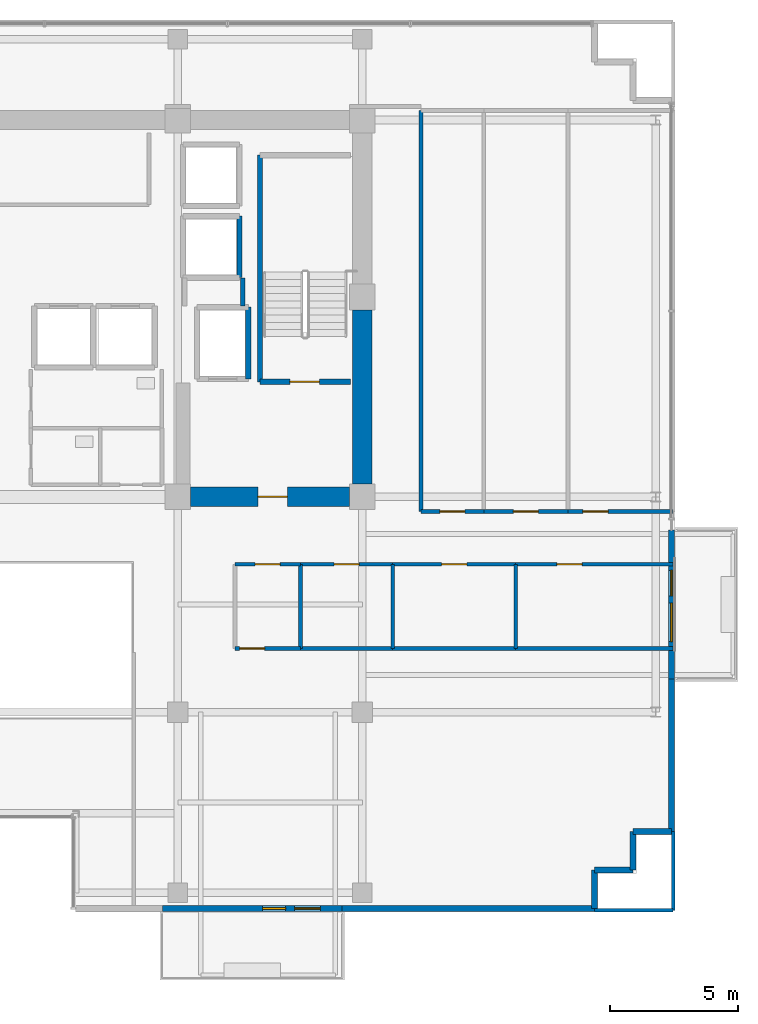
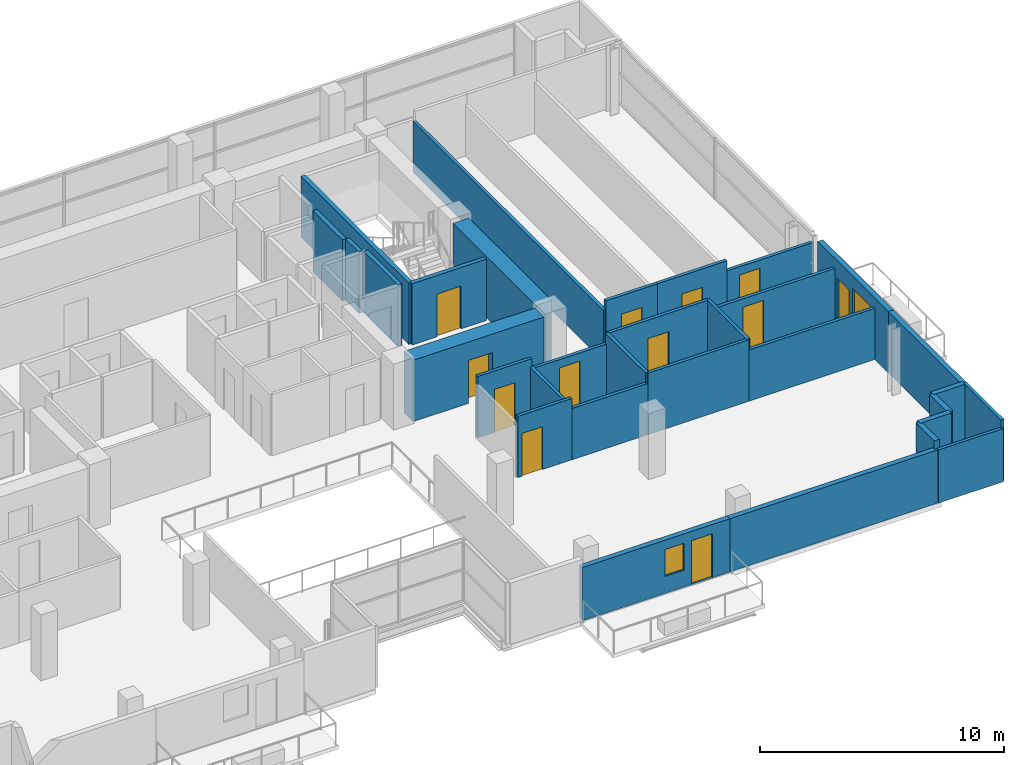
# One storey, part 17 of 21: 32 walls, 12 doors, 2 windows, 14 openings.
"""IFC4 building model written with IfcOpenShell, lengths in metres."""

from ifc_helpers import new_model, si_unit, direction, frame, frame_2d, origin, place, context, subcontext, project, spatial, rectangle, extrude, source, transform, mapped, material, layer, layer_set, type_object, element, fill, save


model = new_model("IFC4")

# Units and contexts
model_context = context("Model", 3, precision=1e-05, world=origin(), true_north=direction((0.0, 1.0)))
body_context = subcontext(model_context, "Body", "Model", "MODEL_VIEW")
ifc_project = project(units=[si_unit("LENGTHUNIT", "METRE"), si_unit("AREAUNIT", "SQUARE_METRE"), si_unit("VOLUMEUNIT", "CUBIC_METRE"), si_unit("PLANEANGLEUNIT", "RADIAN"), si_unit("MASSUNIT", "GRAM", prefix="KILO")], contexts=[model_context])

# Site, building, storey
site_placement = place(None, origin())
site = spatial("IfcSite", under=ifc_project, at=site_placement, CompositionType="ELEMENT")
building_placement = place(site_placement, origin())
building = spatial("IfcBuilding", under=site, at=building_placement, Name="Zarnakvel Exchange Tower", CompositionType="ELEMENT")
storey_placement = place(building_placement, frame((0.0, 0.0, 182.5)))
storey = spatial("IfcBuildingStorey", under=building, at=storey_placement, Name="L51", CompositionType="ELEMENT", Elevation=182.5)

# Wall
ifc_material_1 = material(Name="Concrete C60/75", Category="concrete")
ifc_layer_1 = layer(ifc_material_1, 0.75)
ifc_layer_set_1 = layer_set([ifc_layer_1], Name="Concrete C60/75")
wall_type_1 = type_object("IfcWallType", Name="CW-C3", PredefinedType="SHEAR", material=ifc_layer_set_1)
wall_1_placement = place(storey_placement, frame((14.39990234375, -0.699951171875, 0.0), z_axis=(0.0, 0.0, 1.0), x_axis=(0.0, 1.0, 0.0)))
element("IfcWall", 1, at=wall_1_placement, inside=storey, type_object=wall_type_1, Name="L51 Rear Core Shear Wall E1 (CW-C3)", PredefinedType="SHEAR", context=body_context, shape_type="SweptSolid", body=[
    extrude(rectangle(XDim=6.800048828125, YDim=0.75, at=frame_2d((3.39990234375, 0.0))), origin(), (0.0, 0.0, 1.0), 3.074951171875),
])

# Wall, opening, door
wall_2_placement = place(storey_placement, frame((13.89990234375, -1.199951171875, 0.0), z_axis=(0.0, 0.0, 1.0), x_axis=(-1.0, 0.0, 0.0)))
wall_2 = element("IfcWall", 2, at=wall_2_placement, inside=storey, type_object=wall_type_1, Name="L51 Rear Core Shear Wall SE (CW-C3)", PredefinedType="SHEAR", context=body_context, shape_type="SweptSolid", body=[
    extrude(rectangle(XDim=6.199951171875, YDim=0.75, at=frame_2d((3.10009765625, 0.0))), origin(), (0.0, 0.0, 1.0), 3.074951171875),
])
opening_1_placement = place(wall_2_placement, frame((2.425048828125, 0.0, 0.0)))
opening_1 = element("IfcOpeningElement", 3, at=opening_1_placement, cuts=wall_2, Name="Opening D-L51-04", PredefinedType="OPENING", context=body_context, shape_type="SweptSolid", body=[
    extrude(rectangle(XDim=1.14990234375, YDim=2.14990234375, at=frame_2d((0.574951171875, 1.074951171875))), frame((0.0, 0.385009765625, 0.0), z_axis=(0.0, -1.0, 0.0), x_axis=(1.0, 0.0, 0.0)), (0.0, 0.0, 1.0), 0.77001953125),
])
ifc_material_2 = material(Name="Painted Galvanised Steel S355", Category="steel")
door_type_1 = type_object("IfcDoorType", Name="DT-04", OperationType="NOTDEFINED", PredefinedType="DOOR", material=ifc_material_2)
shared_shape_1 = source(origin(), body_context, "Body", "SweptSolid", [
    extrude(rectangle(XDim=1.14990234375, YDim=2.14990234375, at=frame_2d((0.574951171875, 1.074951171875))), frame((0.0, 0.02490234375, 0.0), z_axis=(0.0, -1.0, 0.0), x_axis=(1.0, 0.0, 0.0)), (0.0, 0.0, 1.0), 0.050048828125),
])
door_1_placement = place(opening_1_placement, origin())
door_1 = element("IfcDoor", 4, at=door_1_placement, inside=storey, type_object=door_type_1, Name="L51 Firefighting Lobby East Door D-L51-04", OperationType="SINGLE_SWING_RIGHT", OverallHeight=2.14990234375, OverallWidth=1.14990234375, PredefinedType="DOOR", context=body_context, shape_type="MappedRepresentation", body=[
    mapped(shared_shape_1, transform((0.0, 0.0, 0.0), x_axis=(1.0, 0.0, 0.0), y_axis=(0.0, 1.0, 0.0), z_axis=(0.0, 0.0, 1.0), scale=1.0)),
])
fill(opening_1, door_1)

# Wall, openings, door, window
ifc_material_3 = material(Name="Precast concrete C40/50", Category="concrete")
ifc_layer_2 = layer(ifc_material_3, 0.239990234375)
ifc_layer_set_2 = layer_set([ifc_layer_2], Name="Precast concrete C40/50")
wall_type_2 = type_object("IfcWallType", Name="EW-02", PredefinedType="SOLIDWALL", material=ifc_layer_set_2)
wall_3_placement = place(storey_placement, frame((13.60009765625, -17.260009765625, 0.0), z_axis=(0.0, 0.0, 1.0), x_axis=(-1.0, 0.0, 0.0)))
wall_3 = element("IfcWall", 5, at=wall_3_placement, inside=storey, type_object=wall_type_2, Name="L51 Exterior Precast Spandrel Wall EW-BAL-L51-SE (EW-02)", PredefinedType="SOLIDWALL", context=body_context, shape_type="SweptSolid", body=[
    extrude(rectangle(XDim=7.0, YDim=0.239990234375, at=frame_2d((3.5, 0.0))), origin(), (0.0, 0.0, 1.0), 2.6650390625),
])
opening_2_placement = place(wall_3_placement, frame((0.840087890625, 0.0, 0.0)))
opening_2 = element("IfcOpeningElement", 6, at=opening_2_placement, cuts=wall_3, Name="Opening BD-L51-02", PredefinedType="OPENING", context=body_context, shape_type="SweptSolid", body=[
    extrude(rectangle(XDim=1.0, YDim=2.199951171875, at=frame_2d((0.5, 1.10009765625))), frame((0.0, 0.1298828125, 0.0), z_axis=(0.0, -1.0, 0.0), x_axis=(1.0, 0.0, 0.0)), (0.0, 0.0, 1.0), 0.260009765625),
])
opening_3_placement = place(wall_3_placement, frame((2.18994140625, 0.0, 0.85009765625)))
opening_3 = element("IfcOpeningElement", 7, at=opening_3_placement, cuts=wall_3, Name="Opening WN-06", PredefinedType="OPENING", context=body_context, shape_type="SweptSolid", body=[
    extrude(rectangle(XDim=0.89990234375, YDim=1.35009765625, at=frame_2d((0.449951171875, 0.675048828125))), frame((0.0, 0.1298828125, 0.0), z_axis=(0.0, -1.0, 0.0), x_axis=(1.0, 0.0, 0.0)), (0.0, 0.0, 1.0), 0.260009765625),
])
ifc_material_4 = material(Name="Architectural Bronze Anodised Aluminium", Category="aluminium")
door_type_2 = type_object("IfcDoorType", Name="DT-09", OperationType="NOTDEFINED", PredefinedType="DOOR", material=ifc_material_4)
shared_shape_2 = source(origin(), body_context, "Body", "SweptSolid", [
    extrude(rectangle(XDim=1.0, YDim=2.199951171875, at=frame_2d((0.5, 1.10009765625))), frame((0.0, 0.02490234375, 0.0), z_axis=(0.0, -1.0, 0.0), x_axis=(1.0, 0.0, 0.0)), (0.0, 0.0, 1.0), 0.050048828125),
])
door_2_placement = place(opening_2_placement, origin())
door_2 = element("IfcDoor", 8, at=door_2_placement, inside=storey, type_object=door_type_2, Name="L51 Planted Loggia Balcony Door BD-L51-02", OperationType="SINGLE_SWING_RIGHT", OverallHeight=2.199951171875, OverallWidth=1.0, PredefinedType="DOOR", context=body_context, shape_type="MappedRepresentation", body=[
    mapped(shared_shape_2, transform((0.0, 0.0, 0.0), x_axis=(1.0, 0.0, 0.0), y_axis=(0.0, 1.0, 0.0), z_axis=(0.0, 0.0, 1.0), scale=1.0)),
])
fill(opening_2, door_2)
ifc_material_5 = material(Name="Double Low-E Laminated Vision Glass", Category="glass")
window_type_1 = type_object("IfcWindowType", Name="WN-06", PartitioningType="SINGLE_PANEL", PredefinedType="WINDOW", material=ifc_material_5)
shared_shape_3 = source(origin(), body_context, "Body", "SweptSolid", [
    extrude(rectangle(XDim=0.89990234375, YDim=1.35009765625, at=frame_2d((0.449951171875, 0.675048828125))), frame((0.0, 0.030029296875, 0.0), z_axis=(0.0, -1.0, 0.0), x_axis=(1.0, 0.0, 0.0)), (0.0, 0.0, 1.0), 0.06005859375),
])
window_1_placement = place(opening_3_placement, origin())
window_1 = element("IfcWindow", 9, at=window_1_placement, inside=storey, type_object=window_type_1, Name="L51 Loggia Daylight Window (WN-06)", OverallHeight=1.35009765625, OverallWidth=0.89990234375, PartitioningType="SINGLE_PANEL", PredefinedType="WINDOW", context=body_context, shape_type="MappedRepresentation", body=[
    mapped(shared_shape_3, transform((0.0, 0.0, 0.0), x_axis=(1.0, 0.0, 0.0), y_axis=(0.0, 1.0, 0.0), z_axis=(0.0, 0.0, 1.0), scale=1.0)),
])
fill(opening_3, window_1)

wall_4_placement = place(storey_placement, frame((26.4599609375, -2.5, 0.0), z_axis=(0.0, 0.0, 1.0), x_axis=(0.0, -1.0, 0.0)))
wall_4 = element("IfcWall", 10, at=wall_4_placement, inside=storey, type_object=wall_type_2, Name="L51 Exterior Precast Spandrel Wall EW-BAL-L51-E (EW-02)", PredefinedType="SOLIDWALL", context=body_context, shape_type="SweptSolid", body=[
    extrude(rectangle(XDim=5.800048828125, YDim=0.239990234375, at=frame_2d((2.89990234375, 0.0))), origin(), (0.0, 0.0, 1.0), 3.074951171875),
])
opening_4_placement = place(wall_4_placement, frame((1.56591796875, 0.0, 0.0)))
opening_4 = element("IfcOpeningElement", 11, at=opening_4_placement, cuts=wall_4, Name="Opening BD-L51-03", PredefinedType="OPENING", context=body_context, shape_type="SweptSolid", body=[
    extrude(rectangle(XDim=1.0, YDim=2.199951171875, at=frame_2d((0.5, 1.10009765625))), frame((0.0, 0.1298828125, 0.0), z_axis=(0.0, -1.0, 0.0), x_axis=(1.0, 0.0, 0.0)), (0.0, 0.0, 1.0), 0.260009765625),
])
opening_5_placement = place(wall_4_placement, frame((2.85009765625, 0.0, 0.85009765625)))
opening_5 = element("IfcOpeningElement", 12, at=opening_5_placement, cuts=wall_4, Name="Opening WN-03", PredefinedType="OPENING", context=body_context, shape_type="SweptSolid", body=[
    extrude(rectangle(XDim=1.5, YDim=1.60009765625, at=frame_2d((0.75, 0.800048828125))), frame((0.0, 0.1298828125, 0.0), z_axis=(0.0, -1.0, 0.0), x_axis=(1.0, 0.0, 0.0)), (0.0, 0.0, 1.0), 0.260009765625),
])
door_3_placement = place(opening_4_placement, origin())
door_3 = element("IfcDoor", 13, at=door_3_placement, inside=storey, type_object=door_type_2, Name="L51 Planted Loggia Balcony Door BD-L51-03", OperationType="SINGLE_SWING_LEFT", OverallHeight=2.199951171875, OverallWidth=1.0, PredefinedType="DOOR", context=body_context, shape_type="MappedRepresentation", body=[
    mapped(shared_shape_2, transform((0.0, 0.0, 0.0), x_axis=(1.0, 0.0, 0.0), y_axis=(0.0, 1.0, 0.0), z_axis=(0.0, 0.0, 1.0), scale=1.0)),
])
fill(opening_4, door_3)
window_type_2 = type_object("IfcWindowType", Name="WN-03", PartitioningType="SINGLE_PANEL", PredefinedType="WINDOW", material=ifc_material_5)
shared_shape_4 = source(origin(), body_context, "Body", "SweptSolid", [
    extrude(rectangle(XDim=1.5, YDim=1.60009765625, at=frame_2d((0.75, 0.800048828125))), frame((0.0, 0.030029296875, 0.0), z_axis=(0.0, -1.0, 0.0), x_axis=(1.0, 0.0, 0.0)), (0.0, 0.0, 1.0), 0.06005859375),
])
window_2_placement = place(opening_5_placement, origin())
window_2 = element("IfcWindow", 14, at=window_2_placement, inside=storey, type_object=window_type_2, Name="L51 Loggia Daylight Window (WN-03)", OverallHeight=1.60009765625, OverallWidth=1.5, PartitioningType="SINGLE_PANEL", PredefinedType="WINDOW", context=body_context, shape_type="MappedRepresentation", body=[
    mapped(shared_shape_4, transform((0.0, 0.0, 0.0), x_axis=(1.0, 0.0, 0.0), y_axis=(0.0, 1.0, 0.0), z_axis=(0.0, 0.0, 1.0), scale=1.0)),
])
fill(opening_5, window_2)

# Walls
wall_5_placement = place(storey_placement, frame((26.4599609375, -14.260009765625, 0.0), z_axis=(0.0, 0.0, 1.0), x_axis=(0.0, 1.0, 0.0)))
element("IfcWall", 15, at=wall_5_placement, inside=storey, type_object=wall_type_2, Name="L51 Exterior Precast Spandrel Wall EWC-L51-10 (EW-02)", PredefinedType="SOLIDWALL", context=body_context, shape_type="SweptSolid", body=[
    extrude(rectangle(XDim=5.9599609375, YDim=0.239990234375, at=frame_2d((2.97998046875, 0.0))), origin(), (0.0, 0.0, 1.0), 3.074951171875),
])
for number, where, z_axis, x_axis, name in (
    (16, (24.9599609375, -14.260009765625, 0.0), (0.0, 0.0, 1.0), (1.0, 0.0, 0.0), "L51 Exterior Precast Spandrel Wall EWC-L51-11 (EW-02)"),
    (17, (24.9599609375, -15.760009765625, 0.0), (0.0, 0.0, 1.0), (0.0, 1.0, 0.0), "L51 Exterior Precast Spandrel Wall EWC-L51-12 (EW-02)"),
    (18, (23.4599609375, -15.760009765625, 0.0), (0.0, 0.0, 1.0), (1.0, 0.0, 0.0), "L51 Exterior Precast Spandrel Wall EWC-L51-13 (EW-02)"),
    (19, (23.4599609375, -17.260009765625, 0.0), (0.0, 0.0, 1.0), (0.0, 1.0, 0.0), "L51 Exterior Precast Spandrel Wall EWC-L51-14 (EW-02)"),
):
    element("IfcWall", number, at=place(storey_placement, frame(where, z_axis=z_axis, x_axis=x_axis)), inside=storey, type_object=wall_type_2, Name=name, PredefinedType="SOLIDWALL", context=body_context, shape_type="SweptSolid", body=[
        extrude(rectangle(XDim=1.5, YDim=0.239990234375, at=frame_2d((0.75, 0.0))), origin(), (0.0, 0.0, 1.0), 3.074951171875),
    ])
wall_6_placement = place(storey_placement, frame((13.60009765625, -17.260009765625, 0.0), z_axis=(0.0, 0.0, 1.0), x_axis=(1.0, 0.0, 0.0)))
element("IfcWall", 20, at=wall_6_placement, inside=storey, type_object=wall_type_2, Name="L51 Exterior Precast Spandrel Wall EWC-L51-15 (EW-02)", PredefinedType="SOLIDWALL", context=body_context, shape_type="SweptSolid", body=[
    extrude(rectangle(XDim=9.85986328125, YDim=0.239990234375, at=frame_2d((4.929931640625, 0.0))), origin(), (0.0, 0.0, 1.0), 2.6650390625),
])

# Wall, opening, door
ifc_material_6 = material(Name="Fire-Rated Gypsum Stud Partition", Category="gypsum")
ifc_layer_3 = layer(ifc_material_6, 0.14990234375)
ifc_layer_set_3 = layer_set([ifc_layer_3], Name="Fire-Rated Gypsum Stud Partition")
wall_type_3 = type_object("IfcWallType", Name="PT-01", PredefinedType="PARTITIONING", material=ifc_layer_set_3)
wall_7_placement = place(storey_placement, frame((11.984130859375, -7.1201171875, 0.0), z_axis=(0.0, 0.0, 1.0), x_axis=(-1.0, 0.0, 0.0)))
wall_7 = element("IfcWall", 21, at=wall_7_placement, inside=storey, type_object=wall_type_3, Name="L51 Partition Wall PWALL-L51-038 (PT-01)", PredefinedType="PARTITIONING", context=body_context, shape_type="SweptSolid", body=[
    extrude(rectangle(XDim=2.55419921875, YDim=0.14990234375, at=frame_2d((1.277099609375, 0.0))), origin(), (0.0, 0.0, 1.0), 3.074951171875),
])
opening_6_placement = place(wall_7_placement, frame((1.394287109375, 0.0, 0.0)))
opening_6 = element("IfcOpeningElement", 22, at=opening_6_placement, cuts=wall_7, Name="Opening D-L51-18", PredefinedType="OPENING", context=body_context, shape_type="SweptSolid", body=[
    extrude(rectangle(XDim=0.97998046875, YDim=2.14990234375, at=frame_2d((0.489990234375, 1.074951171875))), frame((0.0, 0.0849609375, 0.0), z_axis=(0.0, -1.0, 0.0), x_axis=(1.0, 0.0, 0.0)), (0.0, 0.0, 1.0), 0.169921875),
])
ifc_material_7 = material(Name="Timber Acoustic Veneer", Category="wood")
door_type_3 = type_object("IfcDoorType", Name="DT-05", OperationType="NOTDEFINED", PredefinedType="DOOR", material=ifc_material_7)
shared_shape_5 = source(origin(), body_context, "Body", "SweptSolid", [
    extrude(rectangle(XDim=0.97998046875, YDim=2.14990234375, at=frame_2d((0.489990234375, 1.074951171875))), frame((0.0, 0.02490234375, 0.0), z_axis=(0.0, -1.0, 0.0), x_axis=(1.0, 0.0, 0.0)), (0.0, 0.0, 1.0), 0.050048828125),
])
door_4_placement = place(opening_6_placement, origin())
door_4 = element("IfcDoor", 23, at=door_4_placement, inside=storey, type_object=door_type_3, Name="L51 Asset Management Office Door D-L51-18", OperationType="SINGLE_SWING_RIGHT", OverallHeight=2.14990234375, OverallWidth=0.97998046875, PredefinedType="DOOR", context=body_context, shape_type="MappedRepresentation", body=[
    mapped(shared_shape_5, transform((0.0, 0.0, 0.0), x_axis=(1.0, 0.0, 0.0), y_axis=(0.0, 1.0, 0.0), z_axis=(0.0, 0.0, 1.0), scale=1.0)),
])
fill(opening_6, door_4)

wall_8_placement = place(storey_placement, frame((9.429931640625, -3.830078125, 0.0), z_axis=(0.0, 0.0, 1.0), x_axis=(1.0, 0.0, 0.0)))
wall_8 = element("IfcWall", 24, at=wall_8_placement, inside=storey, type_object=wall_type_3, Name="L51 Partition Wall PWALL-L51-039 (PT-01)", PredefinedType="PARTITIONING", context=body_context, shape_type="SweptSolid", body=[
    extrude(rectangle(XDim=2.55419921875, YDim=0.14990234375, at=frame_2d((1.277099609375, 0.0))), origin(), (0.0, 0.0, 1.0), 3.074951171875),
])
opening_7_placement = place(wall_8_placement, frame((0.787109375, 0.0, 0.0)))
opening_7 = element("IfcOpeningElement", 25, at=opening_7_placement, cuts=wall_8, Name="Opening D-L51-14", PredefinedType="OPENING", context=body_context, shape_type="SweptSolid", body=[
    extrude(rectangle(XDim=0.97998046875, YDim=2.14990234375, at=frame_2d((0.489990234375, 1.074951171875))), frame((0.0, 0.0849609375, 0.0), z_axis=(0.0, -1.0, 0.0), x_axis=(1.0, 0.0, 0.0)), (0.0, 0.0, 1.0), 0.169921875),
])
door_5_placement = place(opening_7_placement, origin())
door_5 = element("IfcDoor", 26, at=door_5_placement, inside=storey, type_object=door_type_3, Name="L51 Meeting Room Door D-L51-14", OperationType="SINGLE_SWING_RIGHT", OverallHeight=2.14990234375, OverallWidth=0.97998046875, PredefinedType="DOOR", context=body_context, shape_type="MappedRepresentation", body=[
    mapped(shared_shape_5, transform((0.0, 0.0, 0.0), x_axis=(1.0, 0.0, 0.0), y_axis=(0.0, 1.0, 0.0), z_axis=(0.0, 0.0, 1.0), scale=1.0)),
])
fill(opening_7, door_5)

# Walls
wall_9_placement = place(storey_placement, frame((11.984130859375, -3.830078125, 0.0), z_axis=(0.0, 0.0, 1.0), x_axis=(0.0, -1.0, 0.0)))
element("IfcWall", 27, at=wall_9_placement, inside=storey, type_object=wall_type_3, Name="L51 Partition Wall PWALL-L51-041 (PT-01)", PredefinedType="PARTITIONING", context=body_context, shape_type="SweptSolid", body=[
    extrude(rectangle(XDim=3.2900390625, YDim=0.14990234375, at=frame_2d((1.64501953125, 0.0))), origin(), (0.0, 0.0, 1.0), 2.6650390625),
])
wall_10_placement = place(storey_placement, frame((15.585693359375, -7.1201171875, 0.0), z_axis=(0.0, 0.0, 1.0), x_axis=(-1.0, 0.0, 0.0)))
element("IfcWall", 28, at=wall_10_placement, inside=storey, type_object=wall_type_3, Name="L51 Partition Wall PWALL-L51-042 (PT-01)", PredefinedType="PARTITIONING", context=body_context, shape_type="SweptSolid", body=[
    extrude(rectangle(XDim=3.6015625, YDim=0.14990234375, at=frame_2d((1.80078125, 0.0))), origin(), (0.0, 0.0, 1.0), 2.56494140625),
])

# Wall, opening, door
wall_11_placement = place(storey_placement, frame((11.984130859375, -3.830078125, 0.0), z_axis=(0.0, 0.0, 1.0), x_axis=(1.0, 0.0, 0.0)))
wall_11 = element("IfcWall", 29, at=wall_11_placement, inside=storey, type_object=wall_type_3, Name="L51 Partition Wall PWALL-L51-043 (PT-01)", PredefinedType="PARTITIONING", context=body_context, shape_type="SweptSolid", body=[
    extrude(rectangle(XDim=3.6015625, YDim=0.14990234375, at=frame_2d((1.80078125, 0.0))), origin(), (0.0, 0.0, 1.0), 2.56494140625),
])
opening_8_placement = place(wall_11_placement, frame((1.310791015625, 0.0, 0.0)))
opening_8 = element("IfcOpeningElement", 30, at=opening_8_placement, cuts=wall_11, Name="Opening D-L51-15", PredefinedType="OPENING", context=body_context, shape_type="SweptSolid", body=[
    extrude(rectangle(XDim=0.97998046875, YDim=2.14990234375, at=frame_2d((0.489990234375, 1.074951171875))), frame((0.0, 0.0849609375, 0.0), z_axis=(0.0, -1.0, 0.0), x_axis=(1.0, 0.0, 0.0)), (0.0, 0.0, 1.0), 0.169921875),
])
door_6_placement = place(opening_8_placement, origin())
door_6 = element("IfcDoor", 31, at=door_6_placement, inside=storey, type_object=door_type_3, Name="L51 Executive Office Door D-L51-15", OperationType="SINGLE_SWING_LEFT", OverallHeight=2.14990234375, OverallWidth=0.97998046875, PredefinedType="DOOR", context=body_context, shape_type="MappedRepresentation", body=[
    mapped(shared_shape_5, transform((0.0, 0.0, 0.0), x_axis=(1.0, 0.0, 0.0), y_axis=(0.0, 1.0, 0.0), z_axis=(0.0, 0.0, 1.0), scale=1.0)),
])
fill(opening_8, door_6)

# Walls
wall_12_placement = place(storey_placement, frame((15.585693359375, -3.830078125, 0.0), z_axis=(0.0, 0.0, 1.0), x_axis=(0.0, -1.0, 0.0)))
element("IfcWall", 32, at=wall_12_placement, inside=storey, type_object=wall_type_3, Name="L51 Partition Wall PWALL-L51-044 (PT-01)", PredefinedType="PARTITIONING", context=body_context, shape_type="SweptSolid", body=[
    extrude(rectangle(XDim=3.2900390625, YDim=0.14990234375, at=frame_2d((1.64501953125, 0.0))), origin(), (0.0, 0.0, 1.0), 3.074951171875),
])
wall_13_placement = place(storey_placement, frame((20.384521484375, -7.1201171875, 0.0), z_axis=(0.0, 0.0, 1.0), x_axis=(-1.0, 0.0, 0.0)))
element("IfcWall", 33, at=wall_13_placement, inside=storey, type_object=wall_type_3, Name="L51 Partition Wall PWALL-L51-045 (PT-01)", PredefinedType="PARTITIONING", context=body_context, shape_type="SweptSolid", body=[
    extrude(rectangle(XDim=4.798828125, YDim=0.14990234375, at=frame_2d((2.3994140625, 0.0))), origin(), (0.0, 0.0, 1.0), 3.074951171875),
])

# Wall, opening, door
wall_14_placement = place(storey_placement, frame((15.585693359375, -3.830078125, 0.0), z_axis=(0.0, 0.0, 1.0), x_axis=(1.0, 0.0, 0.0)))
wall_14 = element("IfcWall", 34, at=wall_14_placement, inside=storey, type_object=wall_type_3, Name="L51 Partition Wall PWALL-L51-046 (PT-01)", PredefinedType="PARTITIONING", context=body_context, shape_type="SweptSolid", body=[
    extrude(rectangle(XDim=4.798828125, YDim=0.14990234375, at=frame_2d((2.3994140625, 0.0))), origin(), (0.0, 0.0, 1.0), 3.074951171875),
])
opening_9_placement = place(wall_14_placement, frame((1.9091796875, 0.0, 0.0)))
opening_9 = element("IfcOpeningElement", 35, at=opening_9_placement, cuts=wall_14, Name="Opening D-L51-16", PredefinedType="OPENING", context=body_context, shape_type="SweptSolid", body=[
    extrude(rectangle(XDim=0.97998046875, YDim=2.14990234375, at=frame_2d((0.489990234375, 1.074951171875))), frame((0.0, 0.0849609375, 0.0), z_axis=(0.0, -1.0, 0.0), x_axis=(1.0, 0.0, 0.0)), (0.0, 0.0, 1.0), 0.169921875),
])
door_7_placement = place(opening_9_placement, origin())
door_7 = element("IfcDoor", 36, at=door_7_placement, inside=storey, type_object=door_type_3, Name="L51 Staff Pantry Door D-L51-16", OperationType="SINGLE_SWING_RIGHT", OverallHeight=2.14990234375, OverallWidth=0.97998046875, PredefinedType="DOOR", context=body_context, shape_type="MappedRepresentation", body=[
    mapped(shared_shape_5, transform((0.0, 0.0, 0.0), x_axis=(1.0, 0.0, 0.0), y_axis=(0.0, 1.0, 0.0), z_axis=(0.0, 0.0, 1.0), scale=1.0)),
])
fill(opening_9, door_7)

# Walls
wall_15_placement = place(storey_placement, frame((20.384521484375, -3.830078125, 0.0), z_axis=(0.0, 0.0, 1.0), x_axis=(0.0, -1.0, 0.0)))
element("IfcWall", 37, at=wall_15_placement, inside=storey, type_object=wall_type_3, Name="L51 Partition Wall PWALL-L51-047 (PT-01)", PredefinedType="PARTITIONING", context=body_context, shape_type="SweptSolid", body=[
    extrude(rectangle(XDim=3.2900390625, YDim=0.14990234375, at=frame_2d((1.64501953125, 0.0))), origin(), (0.0, 0.0, 1.0), 3.074951171875),
])
wall_16_placement = place(storey_placement, frame((26.530029296875, -7.1201171875, 0.0), z_axis=(0.0, 0.0, 1.0), x_axis=(-1.0, 0.0, 0.0)))
element("IfcWall", 38, at=wall_16_placement, inside=storey, type_object=wall_type_3, Name="L51 Partition Wall PWALL-L51-048 (PT-01)", PredefinedType="PARTITIONING", context=body_context, shape_type="SweptSolid", body=[
    extrude(rectangle(XDim=6.1455078125, YDim=0.14990234375, at=frame_2d((3.07275390625, 0.0))), origin(), (0.0, 0.0, 1.0), 2.56494140625),
])

# Wall, opening, door
wall_17_placement = place(storey_placement, frame((20.384521484375, -3.830078125, 0.0), z_axis=(0.0, 0.0, 1.0), x_axis=(1.0, 0.0, 0.0)))
wall_17 = element("IfcWall", 39, at=wall_17_placement, inside=storey, type_object=wall_type_3, Name="L51 Partition Wall PWALL-L51-049 (PT-01)", PredefinedType="PARTITIONING", context=body_context, shape_type="SweptSolid", body=[
    extrude(rectangle(XDim=6.1455078125, YDim=0.14990234375, at=frame_2d((3.07275390625, 0.0))), origin(), (0.0, 0.0, 1.0), 2.56494140625),
])
opening_10_placement = place(wall_17_placement, frame((1.607421875, 0.0, 0.0)))
opening_10 = element("IfcOpeningElement", 40, at=opening_10_placement, cuts=wall_17, Name="Opening D-L51-17", PredefinedType="OPENING", context=body_context, shape_type="SweptSolid", body=[
    extrude(rectangle(XDim=0.97998046875, YDim=2.14990234375, at=frame_2d((0.489990234375, 1.074951171875))), frame((0.0, 0.0849609375, 0.0), z_axis=(0.0, -1.0, 0.0), x_axis=(1.0, 0.0, 0.0)), (0.0, 0.0, 1.0), 0.169921875),
])
door_8_placement = place(opening_10_placement, origin())
door_8 = element("IfcDoor", 41, at=door_8_placement, inside=storey, type_object=door_type_3, Name="L51 Risk Analytics Suite Door D-L51-17", OperationType="SINGLE_SWING_LEFT", OverallHeight=2.14990234375, OverallWidth=0.97998046875, PredefinedType="DOOR", context=body_context, shape_type="MappedRepresentation", body=[
    mapped(shared_shape_5, transform((0.0, 0.0, 0.0), x_axis=(1.0, 0.0, 0.0), y_axis=(0.0, 1.0, 0.0), z_axis=(0.0, 0.0, 1.0), scale=1.0)),
])
fill(opening_10, door_8)

# Walls
wall_18_placement = place(storey_placement, frame((26.530029296875, -17.330078125, 0.0), z_axis=(0.0, 0.0, 1.0), x_axis=(-1.0, 0.0, 0.0)))
element("IfcWall", 42, at=wall_18_placement, inside=storey, type_object=wall_type_3, Name="L51 Partition Wall PWALL-L51-051 (PT-01)", PredefinedType="PARTITIONING", context=body_context, shape_type="SweptSolid", body=[
    extrude(rectangle(XDim=3.070068359375, YDim=0.14990234375, at=frame_2d((1.53515625, 0.0))), origin(), (0.0, 0.0, 1.0), 2.6650390625),
])
wall_19_placement = place(storey_placement, frame((26.530029296875, -14.260009765625, 0.0), z_axis=(0.0, 0.0, 1.0), x_axis=(0.0, -1.0, 0.0)))
element("IfcWall", 43, at=wall_19_placement, inside=storey, type_object=wall_type_3, Name="L51 Partition Wall PWALL-L51-053 (PT-01)", PredefinedType="PARTITIONING", context=body_context, shape_type="SweptSolid", body=[
    extrude(rectangle(XDim=3.070068359375, YDim=0.14990234375, at=frame_2d((1.53515625, 0.0))), origin(), (0.0, 0.0, 1.0), 3.074951171875),
])

# Wall, opening, door
wall_20_placement = place(storey_placement, frame((19.137939453125, -1.77001953125, 0.0), z_axis=(0.0, 0.0, 1.0), x_axis=(-1.0, 0.0, 0.0)))
wall_20 = element("IfcWall", 44, at=wall_20_placement, inside=storey, type_object=wall_type_3, Name="L51 Partition Wall PWALL-L51-058 (PT-01)", PredefinedType="PARTITIONING", context=body_context, shape_type="SweptSolid", body=[
    extrude(rectangle(XDim=2.447998046875, YDim=0.14990234375, at=frame_2d((1.22412109375, 0.0))), origin(), (0.0, 0.0, 1.0), 3.074951171875),
])
opening_11_placement = place(wall_20_placement, frame((0.73388671875, 0.0, 0.0)))
opening_11 = element("IfcOpeningElement", 45, at=opening_11_placement, cuts=wall_20, Name="Opening D-L51-20", PredefinedType="OPENING", context=body_context, shape_type="SweptSolid", body=[
    extrude(rectangle(XDim=0.97998046875, YDim=2.14990234375, at=frame_2d((0.489990234375, 1.074951171875))), frame((0.0, 0.0849609375, 0.0), z_axis=(0.0, -1.0, 0.0), x_axis=(1.0, 0.0, 0.0)), (0.0, 0.0, 1.0), 0.169921875),
])
door_9_placement = place(opening_11_placement, origin())
door_9 = element("IfcDoor", 46, at=door_9_placement, inside=storey, type_object=door_type_3, Name="L51 Risk Analytics Suite Door D-L51-20", OperationType="SINGLE_SWING_RIGHT", OverallHeight=2.14990234375, OverallWidth=0.97998046875, PredefinedType="DOOR", context=body_context, shape_type="MappedRepresentation", body=[
    mapped(shared_shape_5, transform((0.0, 0.0, 0.0), x_axis=(1.0, 0.0, 0.0), y_axis=(0.0, 1.0, 0.0), z_axis=(0.0, 0.0, 1.0), scale=1.0)),
])
fill(opening_11, door_9)

# Wall
wall_21_placement = place(storey_placement, frame((16.68994140625, -1.77001953125, 0.0), z_axis=(0.0, 0.0, 1.0), x_axis=(0.0, 1.0, 0.0)))
element("IfcWall", 47, at=wall_21_placement, inside=storey, type_object=wall_type_3, Name="L51 Partition Wall PWALL-L51-060 (PT-01)", PredefinedType="PARTITIONING", context=body_context, shape_type="SweptSolid", body=[
    extrude(rectangle(XDim=15.64990234375, YDim=0.14990234375, at=frame_2d((7.824951171875, 0.0))), origin(), (0.0, 0.0, 1.0), 2.56494140625),
])

# Wall, opening, door
wall_22_placement = place(storey_placement, frame((22.41796875, -1.77001953125, 0.0), z_axis=(0.0, 0.0, 1.0), x_axis=(-1.0, 0.0, 0.0)))
wall_22 = element("IfcWall", 48, at=wall_22_placement, inside=storey, type_object=wall_type_3, Name="L51 Partition Wall PWALL-L51-062 (PT-01)", PredefinedType="PARTITIONING", context=body_context, shape_type="SweptSolid", body=[
    extrude(rectangle(XDim=3.280029296875, YDim=0.14990234375, at=frame_2d((1.64013671875, 0.0))), origin(), (0.0, 0.0, 1.0), 3.074951171875),
])
opening_12_placement = place(wall_22_placement, frame((1.14990234375, 0.0, 0.0)))
opening_12 = element("IfcOpeningElement", 49, at=opening_12_placement, cuts=wall_22, Name="Opening D-L51-21", PredefinedType="OPENING", context=body_context, shape_type="SweptSolid", body=[
    extrude(rectangle(XDim=0.97998046875, YDim=2.14990234375, at=frame_2d((0.489990234375, 1.074951171875))), frame((0.0, 0.0849609375, 0.0), z_axis=(0.0, -1.0, 0.0), x_axis=(1.0, 0.0, 0.0)), (0.0, 0.0, 1.0), 0.169921875),
])
door_10_placement = place(opening_12_placement, origin())
door_10 = element("IfcDoor", 50, at=door_10_placement, inside=storey, type_object=door_type_3, Name="L51 Members Lounge Door D-L51-21", OperationType="SINGLE_SWING_LEFT", OverallHeight=2.14990234375, OverallWidth=0.97998046875, PredefinedType="DOOR", context=body_context, shape_type="MappedRepresentation", body=[
    mapped(shared_shape_5, transform((0.0, 0.0, 0.0), x_axis=(1.0, 0.0, 0.0), y_axis=(0.0, 1.0, 0.0), z_axis=(0.0, 0.0, 1.0), scale=1.0)),
])
fill(opening_12, door_10)

wall_23_placement = place(storey_placement, frame((26.530029296875, -1.77001953125, 0.0), z_axis=(0.0, 0.0, 1.0), x_axis=(-1.0, 0.0, 0.0)))
wall_23 = element("IfcWall", 51, at=wall_23_placement, inside=storey, type_object=wall_type_3, Name="L51 Partition Wall PWALL-L51-065 (PT-01)", PredefinedType="PARTITIONING", context=body_context, shape_type="SweptSolid", body=[
    extrude(rectangle(XDim=4.112060546875, YDim=0.14990234375, at=frame_2d((2.05615234375, 0.0))), origin(), (0.0, 0.0, 1.0), 2.56494140625),
])
opening_13_placement = place(wall_23_placement, frame((2.541015625, 0.0, 0.0)))
opening_13 = element("IfcOpeningElement", 52, at=opening_13_placement, cuts=wall_23, Name="Opening D-L51-22", PredefinedType="OPENING", context=body_context, shape_type="SweptSolid", body=[
    extrude(rectangle(XDim=0.97998046875, YDim=2.14990234375, at=frame_2d((0.489990234375, 1.074951171875))), frame((0.0, 0.0849609375, 0.0), z_axis=(0.0, -1.0, 0.0), x_axis=(1.0, 0.0, 0.0)), (0.0, 0.0, 1.0), 0.169921875),
])
door_11_placement = place(opening_13_placement, origin())
door_11 = element("IfcDoor", 53, at=door_11_placement, inside=storey, type_object=door_type_3, Name="L51 Equities Trading Floor Door D-L51-22", OperationType="SINGLE_SWING_RIGHT", OverallHeight=2.14990234375, OverallWidth=0.97998046875, PredefinedType="DOOR", context=body_context, shape_type="MappedRepresentation", body=[
    mapped(shared_shape_5, transform((0.0, 0.0, 0.0), x_axis=(1.0, 0.0, 0.0), y_axis=(0.0, 1.0, 0.0), z_axis=(0.0, 0.0, 1.0), scale=1.0)),
])
fill(opening_13, door_11)

# Walls
ifc_layer_4 = layer(ifc_material_6, 0.179931640625)
ifc_layer_set_4 = layer_set([ifc_layer_4], Name="Fire-Rated Gypsum Stud Partition")
wall_type_4 = type_object("IfcWallType", Name="PT-02", PredefinedType="PARTITIONING", material=ifc_layer_set_4)
wall_24_placement = place(storey_placement, frame((9.72998046875, 7.330078125, 0.0), z_axis=(0.0, 0.0, 1.0), x_axis=(0.0, -1.0, 0.0)))
element("IfcWall", 54, at=wall_24_placement, inside=storey, type_object=wall_type_4, Name="L51 Partition Wall PWALL-L51-010 (PT-02)", PredefinedType="PARTITIONING", context=body_context, shape_type="SweptSolid", body=[
    extrude(rectangle(XDim=1.090087890625, YDim=0.179931640625, at=frame_2d((0.544921875, 0.0))), origin(), (0.0, 0.0, 1.0), 3.074951171875),
])
ifc_material_8 = material(Name="Concrete C40/50", Category="concrete")
ifc_layer_5 = layer(ifc_material_8, 0.199951171875)
ifc_layer_set_5 = layer_set([ifc_layer_5], Name="Concrete C40/50")
wall_type_5 = type_object("IfcWallType", Name="SW-01", PredefinedType="SOLIDWALL", material=ifc_layer_set_5)
wall_25_placement = place(storey_placement, frame((9.949951171875, 6.199951171875, 0.0), z_axis=(0.0, 0.0, 1.0), x_axis=(0.0, -1.0, 0.0)))
element("IfcWall", 55, at=wall_25_placement, inside=storey, type_object=wall_type_5, Name="L51 FL-02 Hoistway Wall East", PredefinedType="SOLIDWALL", context=body_context, shape_type="SweptSolid", body=[
    extrude(rectangle(XDim=2.800048828125, YDim=0.199951171875, at=frame_2d((1.39990234375, 0.0))), origin(), (0.0, 0.0, 1.0), 3.074951171875),
])
wall_26_placement = place(storey_placement, frame((9.60009765625, 9.75, 0.0), z_axis=(0.0, 0.0, 1.0), x_axis=(0.0, -1.0, 0.0)))
element("IfcWall", 56, at=wall_26_placement, inside=storey, type_object=wall_type_5, Name="L51 PL-11 Hoistway Wall East", PredefinedType="SOLIDWALL", context=body_context, shape_type="SweptSolid", body=[
    extrude(rectangle(XDim=2.39990234375, YDim=0.199951171875, at=frame_2d((1.199951171875, 0.0))), origin(), (0.0, 0.0, 1.0), 3.074951171875),
])

# Wall, opening, door
ifc_layer_6 = layer(ifc_material_8, 0.199951171875)
ifc_layer_set_6 = layer_set([ifc_layer_6], Name="Concrete C40/50")
wall_type_6 = type_object("IfcWallType", Name="SW-02", PredefinedType="SOLIDWALL", material=ifc_layer_set_6)
wall_27_placement = place(storey_placement, frame((13.929931640625, 3.2900390625, 0.0), z_axis=(0.0, 0.0, 1.0), x_axis=(-1.0, 0.0, 0.0)))
wall_27 = element("IfcWall", 57, at=wall_27_placement, inside=storey, type_object=wall_type_6, Name="L51 Stairwell Core Wall PWALL-L51-004 (SW-02)", PredefinedType="SOLIDWALL", context=body_context, shape_type="SweptSolid", body=[
    extrude(rectangle(XDim=3.52001953125, YDim=0.199951171875, at=frame_2d((1.760009765625, 0.0))), origin(), (0.0, 0.0, 1.0), 3.074951171875),
])
opening_14_placement = place(wall_27_placement, frame((1.205078125, 0.0, 0.0)))
opening_14 = element("IfcOpeningElement", 58, at=opening_14_placement, cuts=wall_27, Name="Opening D-L51-02", PredefinedType="OPENING", context=body_context, shape_type="SweptSolid", body=[
    extrude(rectangle(XDim=1.14990234375, YDim=2.14990234375, at=frame_2d((0.574951171875, 1.074951171875))), frame((0.0, 0.10986328125, 0.0), z_axis=(0.0, -1.0, 0.0), x_axis=(1.0, 0.0, 0.0)), (0.0, 0.0, 1.0), 0.219970703125),
])
door_12_placement = place(opening_14_placement, origin())
door_12 = element("IfcDoor", 59, at=door_12_placement, inside=storey, type_object=door_type_1, Name="L51 Stairwell ST-02 Door D-L51-02", OperationType="SINGLE_SWING_RIGHT", OverallHeight=2.14990234375, OverallWidth=1.14990234375, PredefinedType="DOOR", context=body_context, shape_type="MappedRepresentation", body=[
    mapped(shared_shape_1, transform((0.0, 0.0, 0.0), x_axis=(1.0, 0.0, 0.0), y_axis=(0.0, 1.0, 0.0), z_axis=(0.0, 0.0, 1.0), scale=1.0)),
])
fill(opening_14, door_12)

# Wall
wall_28_placement = place(storey_placement, frame((10.409912109375, 3.2900390625, 0.0), z_axis=(0.0, 0.0, 1.0), x_axis=(0.0, 1.0, 0.0)))
element("IfcWall", 60, at=wall_28_placement, inside=storey, type_object=wall_type_6, Name="L51 Stairwell Core Wall PWALL-L51-006 (SW-02)", PredefinedType="SOLIDWALL", context=body_context, shape_type="SweptSolid", body=[
    extrude(rectangle(XDim=8.83984375, YDim=0.199951171875, at=frame_2d((4.419921875, 0.0))), origin(), (0.0, 0.0, 1.0), 3.074951171875),
])

save(model, "model.ifc")
